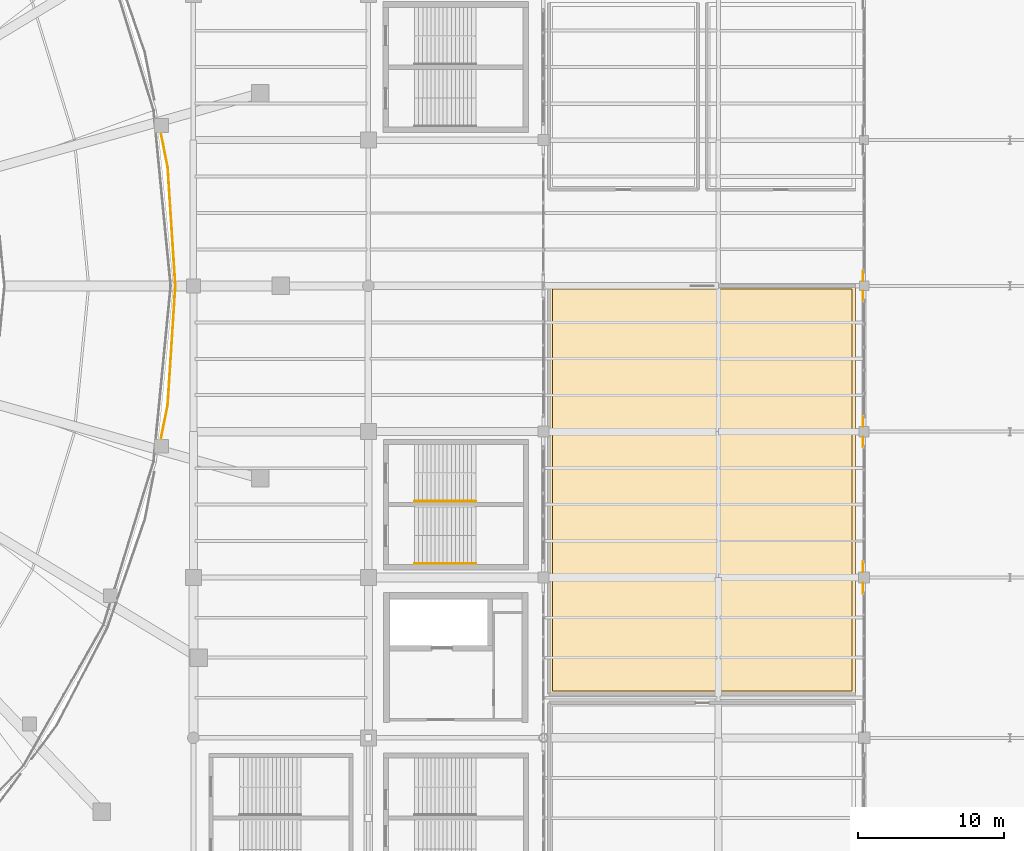
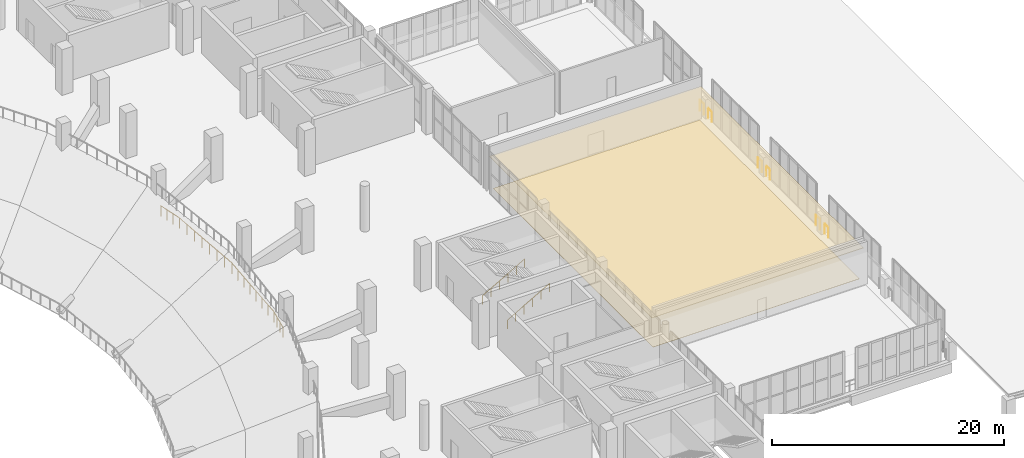
# One storey, part 133 of 136: 9 railings, 2 coverings.
"""IFC4 building model written with IfcOpenShell, lengths in metres."""

from ifc_helpers import new_model, si_unit, direction, frame, origin, origin_2d, place, context, subcontext, project, spatial, polyline, circle, outline, extrude, material, layer, layer_set, type_object, element, save


model = new_model("IFC4")

# Units and contexts
model_context = context("Model", 3, precision=1e-05, world=origin(), true_north=direction((0.0, 1.0)))
body_context = subcontext(model_context, "Body", "Model", "MODEL_VIEW")
ifc_project = project(units=[si_unit("LENGTHUNIT", "METRE"), si_unit("AREAUNIT", "SQUARE_METRE"), si_unit("VOLUMEUNIT", "CUBIC_METRE"), si_unit("PLANEANGLEUNIT", "RADIAN"), si_unit("MASSUNIT", "GRAM", prefix="KILO")], contexts=[model_context])

# Site, building, storey
site_placement = place(None, origin())
site = spatial("IfcSite", under=ifc_project, at=site_placement, CompositionType="ELEMENT")
building_placement = place(site_placement, origin())
building = spatial("IfcBuilding", under=site, at=building_placement, Name="Brinegate Civic Arena", CompositionType="ELEMENT")
storey_placement = place(building_placement, frame((0.0, 0.0, 5.39990234375)))
storey = spatial("IfcBuildingStorey", under=building, at=storey_placement, Name="L01", CompositionType="ELEMENT", Elevation=5.39990234375)

# Coverings
ifc_material_1 = material(Name="Acoustic perforated aluminium ceiling", Category="aluminium")
ifc_layer_1 = layer(ifc_material_1, 0.044921875, Name="Acoustic perforated aluminium ceiling")
ifc_layer_set_1 = layer_set([ifc_layer_1], Name="Acoustic perforated aluminium ceiling")
covering_type_1 = type_object("IfcCoveringType", Name="CEILING-BAFFLE-45", PredefinedType="CEILING", material=ifc_layer_set_1)
covering_1_placement = place(storey_placement, frame((0.0, 0.0, 3.30517578125)))
element("IfcCovering", 1, at=covering_1_placement, inside=storey, type_object=covering_type_1, Name="Acoustic Ceiling L01-009", PredefinedType="CEILING", context=body_context, shape_type="SweptSolid", body=[
    extrude(outline(polyline([(189.404052734375, 62.02001953125), (189.406005859375, 62.01904296875), (189.407958984375, 62.01806640625), (189.408935546875, 62.01806640625), (189.410888671875, 62.01708984375), (189.4130859375, 62.014892578125), (189.4140625, 62.013916015625), (189.4150390625, 62.012939453125), (189.4169921875, 62.010986328125), (189.41796875, 62.009033203125), (189.41796875, 62.008056640625), (189.4189453125, 62.006103515625), (189.419921875, 62.00390625), (189.419921875, 62.001953125), (189.419921875, 62.0), (189.419921875, 34.0), (189.419921875, 33.998046875), (189.419921875, 33.99609375), (189.4189453125, 33.993896484375), (189.41796875, 33.991943359375), (189.41796875, 33.990966796875), (189.4169921875, 33.989013671875), (189.4150390625, 33.987060546875), (189.4140625, 33.986083984375), (189.4130859375, 33.985107421875), (189.410888671875, 33.98291015625), (189.408935546875, 33.98193359375), (189.407958984375, 33.98193359375), (189.406005859375, 33.98095703125), (189.404052734375, 33.97998046875), (189.402099609375, 33.97998046875), (189.39990234375, 33.97998046875), (168.39990234375, 33.97998046875), (168.39794921875, 33.97998046875), (168.39599609375, 33.97998046875), (168.39404296875, 33.98095703125), (168.39208984375, 33.98193359375), (168.39111328125, 33.98193359375), (168.388916015625, 33.98291015625), (168.386962890625, 33.985107421875), (168.385986328125, 33.986083984375), (168.385009765625, 33.987060546875), (168.383056640625, 33.989013671875), (168.382080078125, 33.990966796875), (168.382080078125, 33.991943359375), (168.381103515625, 33.993896484375), (168.3798828125, 33.99609375), (168.3798828125, 33.998046875), (168.3798828125, 34.0), (168.3798828125, 41.614990234375), (168.385009765625, 41.614990234375), (168.385009765625, 42.385009765625), (168.3798828125, 42.385009765625), (168.3798828125, 51.614990234375), (168.385009765625, 51.614990234375), (168.385009765625, 52.385009765625), (168.3798828125, 52.385009765625), (168.3798828125, 62.0), (168.3798828125, 62.001953125), (168.3798828125, 62.00390625), (168.381103515625, 62.006103515625), (168.382080078125, 62.008056640625), (168.382080078125, 62.009033203125), (168.383056640625, 62.010986328125), (168.385009765625, 62.012939453125), (168.385986328125, 62.013916015625), (168.386962890625, 62.014892578125), (168.388916015625, 62.01708984375), (168.39111328125, 62.01806640625), (168.39208984375, 62.01806640625), (168.39404296875, 62.01904296875), (168.39599609375, 62.02001953125), (168.39794921875, 62.02001953125), (168.39990234375, 62.02001953125), (189.39990234375, 62.02001953125), (189.402099609375, 62.02001953125), (189.404052734375, 62.02001953125)])), origin(), (0.0, 0.0, 1.0), 0.044921875),
])
ifc_material_2 = material(Name="Polished coral terrazzo flooring")
ifc_layer_2 = layer(ifc_material_2, 0.028076171875, Name="Polished coral terrazzo flooring")
ifc_layer_set_2 = layer_set([ifc_layer_2], Name="Polished coral terrazzo flooring")
covering_type_2 = type_object("IfcCoveringType", Name="FLOORING-TERRAZZO-28", PredefinedType="FLOORING", material=ifc_layer_set_2)
covering_2_placement = place(storey_placement, origin())
element("IfcCovering", 2, at=covering_2_placement, inside=storey, type_object=covering_type_2, Name="Flooring L01-009", PredefinedType="FLOORING", context=body_context, shape_type="SweptSolid", body=[
    extrude(outline(polyline([(168.6298828125, 34.22998046875), (168.6298828125, 41.56494140625), (168.6298828125, 41.56591796875), (168.634033203125, 41.590087890625), (168.635009765625, 41.614990234375), (168.635009765625, 42.385009765625), (168.634033203125, 42.409912109375), (168.6298828125, 42.43408203125), (168.6298828125, 42.43505859375), (168.6298828125, 51.56494140625), (168.6298828125, 51.56591796875), (168.634033203125, 51.590087890625), (168.635009765625, 51.614990234375), (168.635009765625, 52.385009765625), (168.634033203125, 52.409912109375), (168.6298828125, 52.43408203125), (168.6298828125, 52.43505859375), (168.6298828125, 61.77001953125), (189.169921875, 61.77001953125), (189.169921875, 34.22998046875), (168.6298828125, 34.22998046875)])), origin(), (0.0, 0.0, 1.0), 0.028076171875),
])

# Railings
ifc_material_3 = material(Name="Architectural stainless steel balustrade", Category="steel")
railing_type_1 = type_object("IfcRailingType", Name="RAIL-STAIR-HANDRAIL-900", PredefinedType="HANDRAIL", material=ifc_material_3)
for number, where, name in (
    (3, (159.169921875, 42.955078125, 0.0), "Stair Pitch Handrail ST-10A L01"),
    (4, (159.169921875, 47.22509765625, 0.0), "Stair Pitch Handrail ST-10B L01"),
):
    element("IfcRailing", number, at=place(storey_placement, frame(where)), inside=storey, type_object=railing_type_1, Name=name, PredefinedType="HANDRAIL", context=body_context, shape_type="SweptSolid", body=[
        extrude(circle(Radius=0.02392578125, at=origin_2d()), frame((0.001220703125, 0.0, 0.876708984375), z_axis=(0.868240036425, 0.0, 0.496144373291), x_axis=(0.0, 1.0, 0.0)), (0.0, 0.0, 1.0), 4.834716796875),
        extrude(circle(Radius=0.02099609375, at=origin_2d()), origin(), (0.0, 0.0, 1.0), 0.849853515625),
        extrude(circle(Radius=0.02099609375, at=origin_2d()), frame((0.840087890625, 0.0, 0.47998046875)), (0.0, 0.0, 1.0), 0.849853515625),
        extrude(circle(Radius=0.02099609375, at=origin_2d()), frame((1.68017578125, 0.0, 0.9599609375)), (0.0, 0.0, 1.0), 0.849853515625),
        extrude(circle(Radius=0.02099609375, at=origin_2d()), frame((2.52001953125, 0.0, 1.440185546875)), (0.0, 0.0, 1.0), 0.849853515625),
        extrude(circle(Radius=0.02099609375, at=origin_2d()), frame((3.360107421875, 0.0, 1.920166015625)), (0.0, 0.0, 1.0), 0.849853515625),
        extrude(circle(Radius=0.02099609375, at=origin_2d()), frame((4.2001953125, 0.0, 2.400146484375)), (0.0, 0.0, 1.0), 0.849853515625),
    ])
railing_type_2 = type_object("IfcRailingType", Name="RAIL-VOID-BALUSTRADE-1120", PredefinedType="BALUSTRADE", material=ifc_material_3)
for number, where, name in (
    (5, (189.929931640625, 63.010009765625, 0.0), "Deck Edge Balustrade L01-048"),
    (6, (189.929931640625, 61.655029296875, 0.0), "Deck Edge Balustrade L01-049"),
):
    element("IfcRailing", number, at=place(storey_placement, frame(where)), inside=storey, type_object=railing_type_2, Name=name, PredefinedType="BALUSTRADE", context=body_context, shape_type="SweptSolid", body=[
        extrude(circle(Radius=0.02392578125, at=origin_2d()), frame((0.0, -0.00146484375, 1.09619140625), z_axis=(0.0, -1.0, 0.0), x_axis=(1.0, 0.0, 0.0)), (0.0, 0.0, 1.0), 0.662109375),
        extrude(circle(Radius=0.02099609375, at=origin_2d()), origin(), (0.0, 0.0, 1.0), 1.070068359375),
        extrude(circle(Radius=0.02099609375, at=origin_2d()), frame((0.0, -0.6650390625, 0.0)), (0.0, 0.0, 1.0), 1.070068359375),
    ])
for number, where, name in (
    (7, (189.929931640625, 53.044921875, 0.0), "Deck Edge Balustrade L01-050"),
    (8, (189.929931640625, 51.6298828125, 0.0), "Deck Edge Balustrade L01-051"),
):
    element("IfcRailing", number, at=place(storey_placement, frame(where)), inside=storey, type_object=railing_type_2, Name=name, PredefinedType="BALUSTRADE", context=body_context, shape_type="SweptSolid", body=[
        extrude(circle(Radius=0.02392578125, at=origin_2d()), frame((0.0, -0.00146484375, 1.09619140625), z_axis=(0.0, -1.0, 0.0), x_axis=(1.0, 0.0, 0.0)), (0.0, 0.0, 1.0), 0.671875),
        extrude(circle(Radius=0.02099609375, at=origin_2d()), origin(), (0.0, 0.0, 1.0), 1.070068359375),
        extrude(circle(Radius=0.02099609375, at=origin_2d()), frame((0.0, -0.6748046875, 0.0)), (0.0, 0.0, 1.0), 1.070068359375),
    ])
for number, where, name in (
    (9, (189.929931640625, 43.080078125, 0.0), "Deck Edge Balustrade L01-052"),
    (10, (189.929931640625, 41.60498046875, 0.0), "Deck Edge Balustrade L01-053"),
):
    element("IfcRailing", number, at=place(storey_placement, frame(where)), inside=storey, type_object=railing_type_2, Name=name, PredefinedType="BALUSTRADE", context=body_context, shape_type="SweptSolid", body=[
        extrude(circle(Radius=0.02392578125, at=origin_2d()), frame((0.0, -0.00146484375, 1.09619140625), z_axis=(0.0, -1.0, 0.0), x_axis=(1.0, 0.0, 0.0)), (0.0, 0.0, 1.0), 0.68212890625),
        extrude(circle(Radius=0.02099609375, at=origin_2d()), origin(), (0.0, 0.0, 1.0), 1.070068359375),
        extrude(circle(Radius=0.02099609375, at=origin_2d()), frame((0.0, -0.68505859375, 0.0)), (0.0, 0.0, 1.0), 1.070068359375),
    ])
railing_placement = place(storey_placement, frame((141.77197265625, 51.4951171875, 0.0)))
element("IfcRailing", 11, at=railing_placement, inside=storey, type_object=railing_type_2, Name="Deck Edge Balustrade L01-094", PredefinedType="BALUSTRADE", context=body_context, shape_type="SweptSolid", body=[
    extrude(circle(Radius=0.02392578125, at=origin_2d()), frame((0.000244140625, 0.00146484375, 1.09619140625), z_axis=(0.195005587963, 0.980802131249, 0.0), x_axis=(-0.980802131249, 0.195005587963, 0.0)), (0.0, 0.0, 1.0), 2.406982421875),
    extrude(circle(Radius=0.02392578125, at=origin_2d()), frame((0.469970703125, 2.365234375, 1.09619140625), z_axis=(0.064768002585, 0.997900348653, 0.0), x_axis=(-0.997900348653, 0.064768002585, 0.0)), (0.0, 0.0, 1.0), 8.150390625),
    extrude(circle(Radius=0.02392578125, at=origin_2d()), frame((0.998046875, 10.50146484375, 1.09619140625), z_axis=(-0.064642934422, 0.997908458241, 0.0), x_axis=(-0.997908458241, -0.064642934422, 0.0)), (0.0, 0.0, 1.0), 8.151123046875),
    extrude(circle(Radius=0.02392578125, at=origin_2d()), frame((0.470703125, 18.638427734375, 1.09619140625), z_axis=(-0.194679718384, 0.980866865201, 0.0), x_axis=(-0.980866865201, -0.194679718384, 0.0)), (0.0, 0.0, 1.0), 2.416015625),
    extrude(circle(Radius=0.02099609375, at=origin_2d()), origin(), (0.0, 0.0, 1.0), 1.070068359375),
    extrude(circle(Radius=0.02099609375, at=origin_2d()), frame((0.15673828125, 0.787841796875, 0.0)), (0.0, 0.0, 1.0), 1.070068359375),
    extrude(circle(Radius=0.02099609375, at=origin_2d()), frame((0.313232421875, 1.575927734375, 0.0)), (0.0, 0.0, 1.0), 1.070068359375),
    extrude(circle(Radius=0.02099609375, at=origin_2d()), frame((0.469970703125, 2.36376953125, 0.0)), (0.0, 0.0, 1.0), 1.070068359375),
    extrude(circle(Radius=0.02099609375, at=origin_2d()), frame((0.54541015625, 3.526123046875, 0.0)), (0.0, 0.0, 1.0), 1.070068359375),
    extrude(circle(Radius=0.02099609375, at=origin_2d()), frame((0.620849609375, 4.6884765625, 0.0)), (0.0, 0.0, 1.0), 1.070068359375),
    extrude(circle(Radius=0.02099609375, at=origin_2d()), frame((0.6962890625, 5.850830078125, 0.0)), (0.0, 0.0, 1.0), 1.070068359375),
    extrude(circle(Radius=0.02099609375, at=origin_2d()), frame((0.771728515625, 7.012939453125, 0.0)), (0.0, 0.0, 1.0), 1.070068359375),
    extrude(circle(Radius=0.02099609375, at=origin_2d()), frame((0.84716796875, 8.17529296875, 0.0)), (0.0, 0.0, 1.0), 1.070068359375),
    extrude(circle(Radius=0.02099609375, at=origin_2d()), frame((0.922607421875, 9.337646484375, 0.0)), (0.0, 0.0, 1.0), 1.070068359375),
    extrude(circle(Radius=0.02099609375, at=origin_2d()), frame((0.998046875, 10.5, 0.0)), (0.0, 0.0, 1.0), 1.070068359375),
    extrude(circle(Radius=0.02099609375, at=origin_2d()), frame((0.9228515625, 11.662353515625, 0.0)), (0.0, 0.0, 1.0), 1.070068359375),
    extrude(circle(Radius=0.02099609375, at=origin_2d()), frame((0.847412109375, 12.824951171875, 0.0)), (0.0, 0.0, 1.0), 1.070068359375),
    extrude(circle(Radius=0.02099609375, at=origin_2d()), frame((0.772216796875, 13.9873046875, 0.0)), (0.0, 0.0, 1.0), 1.070068359375),
    extrude(circle(Radius=0.02099609375, at=origin_2d()), frame((0.69677734375, 15.149658203125, 0.0)), (0.0, 0.0, 1.0), 1.070068359375),
    extrude(circle(Radius=0.02099609375, at=origin_2d()), frame((0.62158203125, 16.31201171875, 0.0)), (0.0, 0.0, 1.0), 1.070068359375),
    extrude(circle(Radius=0.02099609375, at=origin_2d()), frame((0.546142578125, 17.474609375, 0.0)), (0.0, 0.0, 1.0), 1.070068359375),
    extrude(circle(Radius=0.02099609375, at=origin_2d()), frame((0.470947265625, 18.636962890625, 0.0)), (0.0, 0.0, 1.0), 1.070068359375),
    extrude(circle(Radius=0.02099609375, at=origin_2d()), frame((0.31396484375, 19.427978515625, 0.0)), (0.0, 0.0, 1.0), 1.070068359375),
    extrude(circle(Radius=0.02099609375, at=origin_2d()), frame((0.156982421875, 20.21875, 0.0)), (0.0, 0.0, 1.0), 1.070068359375),
    extrude(circle(Radius=0.02099609375, at=origin_2d()), frame((0.0, 21.009765625, 0.0)), (0.0, 0.0, 1.0), 1.070068359375),
])

save(model, "model.ifc")
